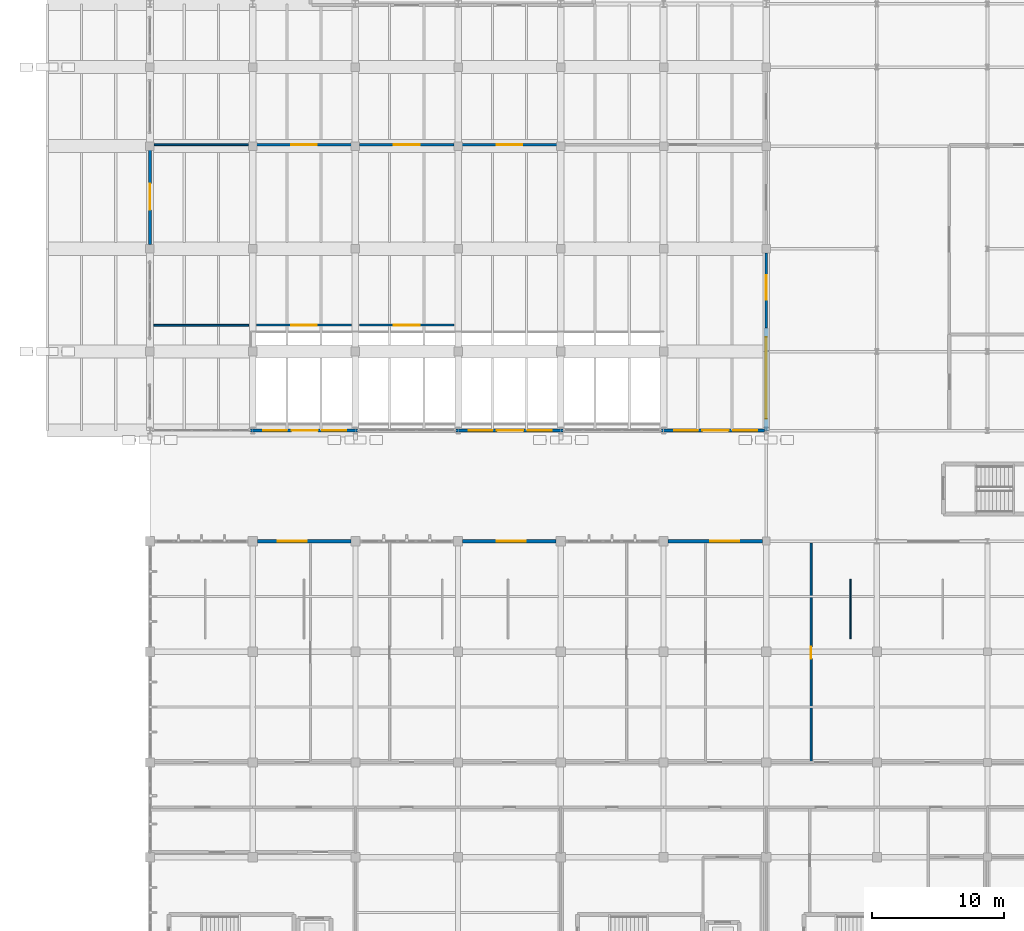
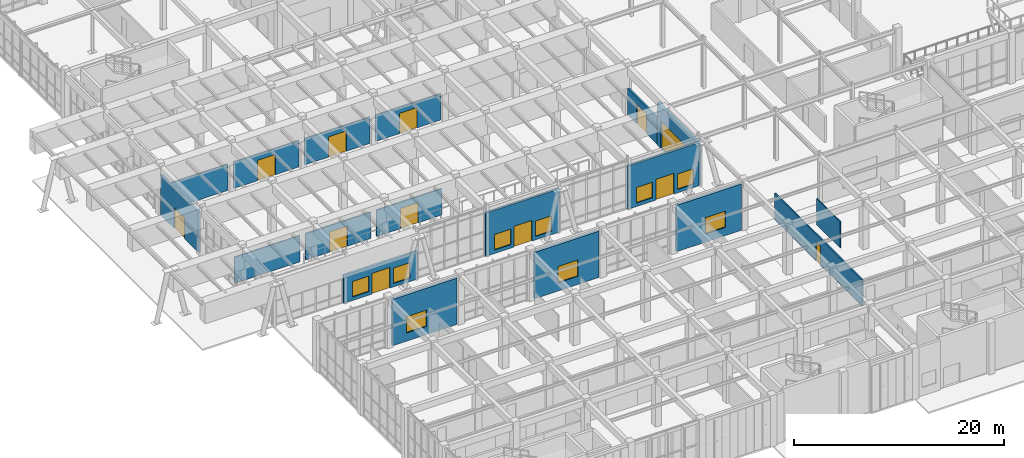
# One storey, part 76 of 110: 18 walls, 12 doors, 9 windows, 21 openings.
"""IFC4 building model written with IfcOpenShell, lengths in metres."""

from ifc_helpers import new_model, si_unit, direction, frame, frame_2d, origin, place, context, subcontext, project, spatial, rectangle, extrude, material, layer, layer_set, type_object, element, fill, save


model = new_model("IFC4")

# Units and contexts
model_context = context("Model", 3, precision=1e-05, world=origin(), true_north=direction((0.0, 1.0)))
body_context = subcontext(model_context, "Body", "Model", "MODEL_VIEW")
ifc_project = project(units=[si_unit("LENGTHUNIT", "METRE"), si_unit("AREAUNIT", "SQUARE_METRE"), si_unit("VOLUMEUNIT", "CUBIC_METRE"), si_unit("PLANEANGLEUNIT", "RADIAN"), si_unit("MASSUNIT", "GRAM", prefix="KILO")], contexts=[model_context])

# Site, building, storey
site_placement = place(None, origin())
site = spatial("IfcSite", under=ifc_project, at=site_placement, CompositionType="ELEMENT")
building_placement = place(site_placement, origin())
building = spatial("IfcBuilding", under=site, at=building_placement, Name="Tizgana Railside Sports Hall", CompositionType="ELEMENT")
storey_placement = place(building_placement, origin())
storey = spatial("IfcBuildingStorey", under=building, at=storey_placement, Name="L00", CompositionType="ELEMENT", Elevation=0.0)

# Wall, opening, door
ifc_material_1 = material(Name="Masonry blockwork", Category="masonry")
ifc_layer_1 = layer(ifc_material_1, 0.14990234375, Name="Masonry blockwork")
ifc_layer_set_1 = layer_set([ifc_layer_1], Name="Masonry blockwork")
wall_type_1 = type_object("IfcWallType", Name="Changing Wet-Room Partition 150", PredefinedType="STANDARD", material=ifc_layer_set_1)
wall_1_placement = place(storey_placement, frame((58.0, 15.60009765625, 0.0), z_axis=(0.0, 0.0, 1.0), x_axis=(0.0, 1.0, 0.0)))
wall_1 = element("IfcWall", 1, at=wall_1_placement, inside=storey, type_object=wall_type_1, Name="L00 Partition PWAL-0025", PredefinedType="STANDARD", context=body_context, shape_type="SweptSolid", body=[
    extrude(rectangle(XDim=16.64990234375, YDim=0.14990234375, at=frame_2d((8.324951171875, 0.0))), origin(), (0.0, 0.0, 1.0), 3.050048828125),
])
opening_1_placement = place(wall_1_placement, frame((7.864990234375, 0.0, 0.0)))
opening_1 = element("IfcOpeningElement", 2, at=opening_1_placement, cuts=wall_1, Name="Opening D-0127", PredefinedType="OPENING", context=body_context, shape_type="SweptSolid", body=[
    extrude(rectangle(XDim=0.919921875, YDim=2.14990234375, at=frame_2d((0.4599609375, 1.074951171875))), frame((0.0, 0.0849609375, 0.0), z_axis=(0.0, -1.0, 0.0), x_axis=(1.0, 0.0, 0.0)), (0.0, 0.0, 1.0), 0.169921875),
])
ifc_material_2 = material(Name="Solid beech timber", Category="wood")
door_type_1 = type_object("IfcDoorType", Name="Consultation & Coaching Door 920x2150", OperationType="NOTDEFINED", PredefinedType="DOOR", material=ifc_material_2)
door_1_placement = place(opening_1_placement, origin())
door_1 = element("IfcDoor", 3, at=door_1_placement, inside=storey, type_object=door_type_1, Name="L00 Door D-0127", OperationType="SINGLE_SWING_LEFT", OverallHeight=2.14990234375, OverallWidth=0.919921875, PredefinedType="DOOR", context=body_context, shape_type="SweptSolid", body=[
    extrude(rectangle(XDim=0.919921875, YDim=2.14990234375, at=frame_2d((0.4599609375, 1.074951171875))), frame((0.0, 0.02490234375, 0.0), z_axis=(0.0, -1.0, 0.0), x_axis=(1.0, 0.0, 0.0)), (0.0, 0.0, 1.0), 0.050048828125),
])
fill(opening_1, door_1)

ifc_material_3 = material(Name="Acoustic gypsum stud")
ifc_layer_2 = layer(ifc_material_3, 0.159912109375, Name="Acoustic gypsum stud")
ifc_layer_set_2 = layer_set([ifc_layer_2], Name="Acoustic gypsum stud")
wall_type_2 = type_object("IfcWallType", Name="Clinic Acoustic Partition 160", PredefinedType="STANDARD", material=ifc_layer_set_2)
wall_2_placement = place(storey_placement, frame((15.89990234375, 48.800048828125, 0.0), z_axis=(0.0, 0.0, 1.0), x_axis=(1.0, 0.0, 0.0)))
wall_2 = element("IfcWall", 4, at=wall_2_placement, inside=storey, type_object=wall_type_2, Name="L00 Partition PWAL-0248", PredefinedType="STANDARD", context=body_context, shape_type="SweptSolid", body=[
    extrude(rectangle(XDim=7.2001953125, YDim=0.159912109375, at=frame_2d((3.60009765625, 0.0))), origin(), (0.0, 0.0, 1.0), 3.050048828125),
])
opening_2_placement = place(wall_2_placement, frame((2.625, 0.0, 0.0)))
opening_2 = element("IfcOpeningElement", 5, at=opening_2_placement, cuts=wall_2, Name="Opening D-0240", PredefinedType="OPENING", context=body_context, shape_type="SweptSolid", body=[
    extrude(rectangle(XDim=1.949951171875, YDim=2.35009765625, at=frame_2d((0.97509765625, 1.175048828125))), frame((0.0, 0.08984375, 0.0), z_axis=(0.0, -1.0, 0.0), x_axis=(1.0, 0.0, 0.0)), (0.0, 0.0, 1.0), 0.179931640625),
])
door_type_2 = type_object("IfcDoorType", Name="Court Player Double Entry Door 1950x2350", OperationType="NOTDEFINED", PredefinedType="DOOR", material=ifc_material_2)
door_2_placement = place(opening_2_placement, origin())
door_2 = element("IfcDoor", 6, at=door_2_placement, inside=storey, type_object=door_type_2, Name="L00 Door D-0240", OperationType="DOUBLE_DOOR_SINGLE_SWING", OverallHeight=2.35009765625, OverallWidth=1.949951171875, PredefinedType="DOOR", context=body_context, shape_type="SweptSolid", body=[
    extrude(rectangle(XDim=1.949951171875, YDim=2.35009765625, at=frame_2d((0.97509765625, 1.175048828125))), frame((0.0, 0.02490234375, 0.0), z_axis=(0.0, -1.0, 0.0), x_axis=(1.0, 0.0, 0.0)), (0.0, 0.0, 1.0), 0.050048828125),
])
fill(opening_2, door_2)

wall_3_placement = place(storey_placement, frame((23.699951171875, 48.800048828125, 0.0), z_axis=(0.0, 0.0, 1.0), x_axis=(1.0, 0.0, 0.0)))
wall_3 = element("IfcWall", 7, at=wall_3_placement, inside=storey, type_object=wall_type_2, Name="L00 Partition PWAL-0249", PredefinedType="STANDARD", context=body_context, shape_type="SweptSolid", body=[
    extrude(rectangle(XDim=7.199951171875, YDim=0.159912109375, at=frame_2d((3.60009765625, 0.0))), origin(), (0.0, 0.0, 1.0), 3.050048828125),
])
opening_3_placement = place(wall_3_placement, frame((2.625, 0.0, 0.0)))
opening_3 = element("IfcOpeningElement", 8, at=opening_3_placement, cuts=wall_3, Name="Opening D-0241", PredefinedType="OPENING", context=body_context, shape_type="SweptSolid", body=[
    extrude(rectangle(XDim=1.949951171875, YDim=2.35009765625, at=frame_2d((0.97509765625, 1.175048828125))), frame((0.0, 0.08984375, 0.0), z_axis=(0.0, -1.0, 0.0), x_axis=(1.0, 0.0, 0.0)), (0.0, 0.0, 1.0), 0.179931640625),
])
door_3_placement = place(opening_3_placement, origin())
door_3 = element("IfcDoor", 9, at=door_3_placement, inside=storey, type_object=door_type_2, Name="L00 Door D-0241", OperationType="DOUBLE_DOOR_SINGLE_SWING", OverallHeight=2.35009765625, OverallWidth=1.949951171875, PredefinedType="DOOR", context=body_context, shape_type="SweptSolid", body=[
    extrude(rectangle(XDim=1.949951171875, YDim=2.35009765625, at=frame_2d((0.97509765625, 1.175048828125))), frame((0.0, 0.02490234375, 0.0), z_axis=(0.0, -1.0, 0.0), x_axis=(1.0, 0.0, 0.0)), (0.0, 0.0, 1.0), 0.050048828125),
])
fill(opening_3, door_3)

wall_4_placement = place(storey_placement, frame((15.89990234375, 62.5, 0.0), z_axis=(0.0, 0.0, 1.0), x_axis=(1.0, 0.0, 0.0)))
wall_4 = element("IfcWall", 10, at=wall_4_placement, inside=storey, type_object=wall_type_2, Name="L00 Partition PWAL-0251", PredefinedType="STANDARD", context=body_context, shape_type="SweptSolid", body=[
    extrude(rectangle(XDim=7.2001953125, YDim=0.159912109375, at=frame_2d((3.60009765625, 0.0))), origin(), (0.0, 0.0, 1.0), 3.050048828125),
])
opening_4_placement = place(wall_4_placement, frame((2.625, 0.0, 0.0)))
opening_4 = element("IfcOpeningElement", 11, at=opening_4_placement, cuts=wall_4, Name="Opening D-0242", PredefinedType="OPENING", context=body_context, shape_type="SweptSolid", body=[
    extrude(rectangle(XDim=1.949951171875, YDim=2.35009765625, at=frame_2d((0.97509765625, 1.175048828125))), frame((0.0, 0.08984375, 0.0), z_axis=(0.0, -1.0, 0.0), x_axis=(1.0, 0.0, 0.0)), (0.0, 0.0, 1.0), 0.179931640625),
])
door_4_placement = place(opening_4_placement, origin())
door_4 = element("IfcDoor", 12, at=door_4_placement, inside=storey, type_object=door_type_2, Name="L00 Door D-0242", OperationType="DOUBLE_DOOR_SINGLE_SWING", OverallHeight=2.35009765625, OverallWidth=1.949951171875, PredefinedType="DOOR", context=body_context, shape_type="SweptSolid", body=[
    extrude(rectangle(XDim=1.949951171875, YDim=2.35009765625, at=frame_2d((0.97509765625, 1.175048828125))), frame((0.0, 0.02490234375, 0.0), z_axis=(0.0, -1.0, 0.0), x_axis=(1.0, 0.0, 0.0)), (0.0, 0.0, 1.0), 0.050048828125),
])
fill(opening_4, door_4)

wall_5_placement = place(storey_placement, frame((23.699951171875, 62.5, 0.0), z_axis=(0.0, 0.0, 1.0), x_axis=(1.0, 0.0, 0.0)))
wall_5 = element("IfcWall", 13, at=wall_5_placement, inside=storey, type_object=wall_type_2, Name="L00 Partition PWAL-0252", PredefinedType="STANDARD", context=body_context, shape_type="SweptSolid", body=[
    extrude(rectangle(XDim=7.199951171875, YDim=0.159912109375, at=frame_2d((3.60009765625, 0.0))), origin(), (0.0, 0.0, 1.0), 3.050048828125),
])
opening_5_placement = place(wall_5_placement, frame((2.625, 0.0, 0.0)))
opening_5 = element("IfcOpeningElement", 14, at=opening_5_placement, cuts=wall_5, Name="Opening D-0243", PredefinedType="OPENING", context=body_context, shape_type="SweptSolid", body=[
    extrude(rectangle(XDim=1.949951171875, YDim=2.35009765625, at=frame_2d((0.97509765625, 1.175048828125))), frame((0.0, 0.08984375, 0.0), z_axis=(0.0, -1.0, 0.0), x_axis=(1.0, 0.0, 0.0)), (0.0, 0.0, 1.0), 0.179931640625),
])
door_5_placement = place(opening_5_placement, origin())
door_5 = element("IfcDoor", 15, at=door_5_placement, inside=storey, type_object=door_type_2, Name="L00 Door D-0243", OperationType="DOUBLE_DOOR_SINGLE_SWING", OverallHeight=2.35009765625, OverallWidth=1.949951171875, PredefinedType="DOOR", context=body_context, shape_type="SweptSolid", body=[
    extrude(rectangle(XDim=1.949951171875, YDim=2.35009765625, at=frame_2d((0.97509765625, 1.175048828125))), frame((0.0, 0.02490234375, 0.0), z_axis=(0.0, -1.0, 0.0), x_axis=(1.0, 0.0, 0.0)), (0.0, 0.0, 1.0), 0.050048828125),
])
fill(opening_5, door_5)

wall_6_placement = place(storey_placement, frame((31.5, 62.5, 0.0), z_axis=(0.0, 0.0, 1.0), x_axis=(1.0, 0.0, 0.0)))
wall_6 = element("IfcWall", 16, at=wall_6_placement, inside=storey, type_object=wall_type_2, Name="L00 Partition PWAL-0253", PredefinedType="STANDARD", context=body_context, shape_type="SweptSolid", body=[
    extrude(rectangle(XDim=7.199951171875, YDim=0.159912109375, at=frame_2d((3.60009765625, 0.0))), origin(), (0.0, 0.0, 1.0), 3.050048828125),
])
opening_6_placement = place(wall_6_placement, frame((2.625, 0.0, 0.0)))
opening_6 = element("IfcOpeningElement", 17, at=opening_6_placement, cuts=wall_6, Name="Opening D-0244", PredefinedType="OPENING", context=body_context, shape_type="SweptSolid", body=[
    extrude(rectangle(XDim=1.949951171875, YDim=2.35009765625, at=frame_2d((0.97509765625, 1.175048828125))), frame((0.0, 0.08984375, 0.0), z_axis=(0.0, -1.0, 0.0), x_axis=(1.0, 0.0, 0.0)), (0.0, 0.0, 1.0), 0.179931640625),
])
door_6_placement = place(opening_6_placement, origin())
door_6 = element("IfcDoor", 18, at=door_6_placement, inside=storey, type_object=door_type_2, Name="L00 Door D-0244", OperationType="DOUBLE_DOOR_SINGLE_SWING", OverallHeight=2.35009765625, OverallWidth=1.949951171875, PredefinedType="DOOR", context=body_context, shape_type="SweptSolid", body=[
    extrude(rectangle(XDim=1.949951171875, YDim=2.35009765625, at=frame_2d((0.97509765625, 1.175048828125))), frame((0.0, 0.02490234375, 0.0), z_axis=(0.0, -1.0, 0.0), x_axis=(1.0, 0.0, 0.0)), (0.0, 0.0, 1.0), 0.050048828125),
])
fill(opening_6, door_6)

ifc_layer_3 = layer(ifc_material_1, 0.219970703125, Name="Masonry blockwork")
ifc_layer_set_3 = layer_set([ifc_layer_3], Name="Masonry blockwork")
wall_type_3 = type_object("IfcWallType", Name="Equipment Store Fire Wall 220", PredefinedType="STANDARD", material=ifc_layer_set_3)
wall_7_placement = place(storey_placement, frame((54.60009765625, 48.60498046875, 0.0), z_axis=(0.0, 0.0, 1.0), x_axis=(0.0, 1.0, 0.0)))
wall_7 = element("IfcWall", 19, at=wall_7_placement, inside=storey, type_object=wall_type_3, Name="L00 Partition PWAL-0268", PredefinedType="STANDARD", context=body_context, shape_type="SweptSolid", body=[
    extrude(rectangle(XDim=5.695068359375, YDim=0.219970703125, at=frame_2d((2.84765625, 0.0))), origin(), (0.0, 0.0, 1.0), 3.050048828125),
])
opening_7_placement = place(wall_7_placement, frame((2.1201171875, 0.0, 0.0)))
opening_7 = element("IfcOpeningElement", 20, at=opening_7_placement, cuts=wall_7, Name="Opening D-0256", PredefinedType="OPENING", context=body_context, shape_type="SweptSolid", body=[
    extrude(rectangle(XDim=1.85009765625, YDim=2.25, at=frame_2d((0.925048828125, 1.125))), frame((0.0, 0.119873046875, 0.0), z_axis=(0.0, -1.0, 0.0), x_axis=(1.0, 0.0, 0.0)), (0.0, 0.0, 1.0), 0.239990234375),
])
ifc_material_4 = material(Name="Timber fire leaf", Category="wood")
door_type_3 = type_object("IfcDoorType", Name="Corridor Cross-Fire Double Door 1850x2250", OperationType="NOTDEFINED", PredefinedType="DOOR", material=ifc_material_4)
door_7_placement = place(opening_7_placement, origin())
door_7 = element("IfcDoor", 21, at=door_7_placement, inside=storey, type_object=door_type_3, Name="L00 Door D-0256", OperationType="DOUBLE_DOOR_SINGLE_SWING", OverallHeight=2.25, OverallWidth=1.85009765625, PredefinedType="DOOR", context=body_context, shape_type="SweptSolid", body=[
    extrude(rectangle(XDim=1.85009765625, YDim=2.25, at=frame_2d((0.925048828125, 1.125))), frame((0.0, 0.02490234375, 0.0), z_axis=(0.0, -1.0, 0.0), x_axis=(1.0, 0.0, 0.0)), (0.0, 0.0, 1.0), 0.050048828125),
])
fill(opening_7, door_7)

# Wall, openings, door, windows
ifc_material_5 = material(Name="Cross-laminated timber CL24h", Category="wood")
ifc_layer_4 = layer(ifc_material_5, 0.25, Name="Cross-laminated timber CL24h")
ifc_layer_set_4 = layer_set([ifc_layer_4], Name="Cross-laminated timber CL24h")
wall_type_4 = type_object("IfcWallType", Name="Exterior Clerestory Spandrel 250", PredefinedType="STANDARD", material=ifc_layer_set_4)
wall_8_placement = place(storey_placement, frame((23.554931640625, 40.800048828125, 0.0), z_axis=(0.0, 0.0, 1.0), x_axis=(-1.0, 0.0, 0.0)))
wall_8 = element("IfcWall", 22, at=wall_8_placement, inside=storey, type_object=wall_type_4, Name="L00 Exterior Wall EWAL-0001", PredefinedType="STANDARD", context=body_context, shape_type="SweptSolid", body=[
    extrude(rectangle(XDim=8.119873046875, YDim=0.25, at=frame_2d((4.06005859375, 0.0))), origin(), (0.0, 0.0, 1.0), 3.240966796875),
])
opening_8_placement = place(wall_8_placement, frame((3.0048828125, 0.0, 0.0)))
opening_8 = element("IfcOpeningElement", 23, at=opening_8_placement, cuts=wall_8, Name="Opening D-0001", PredefinedType="OPENING", context=body_context, shape_type="SweptSolid", body=[
    extrude(rectangle(XDim=2.0, YDim=2.39990234375, at=frame_2d((1.0, 1.199951171875))), frame((0.0, 0.135009765625, 0.0), z_axis=(0.0, -1.0, 0.0), x_axis=(1.0, 0.0, 0.0)), (0.0, 0.0, 1.0), 0.27001953125),
])
opening_9_placement = place(wall_8_placement, frame((0.85498046875, 0.0, 0.39990234375)))
opening_9 = element("IfcOpeningElement", 24, at=opening_9_placement, cuts=wall_8, Name="Opening W-0001", PredefinedType="OPENING", context=body_context, shape_type="SweptSolid", body=[
    extrude(rectangle(XDim=1.800048828125, YDim=1.800048828125, at=frame_2d((0.89990234375, 0.89990234375))), frame((0.0, 0.135009765625, 0.0), z_axis=(0.0, -1.0, 0.0), x_axis=(1.0, 0.0, 0.0)), (0.0, 0.0, 1.0), 0.27001953125),
])
opening_10_placement = place(wall_8_placement, frame((5.35498046875, 0.0, 0.39990234375)))
opening_10 = element("IfcOpeningElement", 25, at=opening_10_placement, cuts=wall_8, Name="Opening W-0002", PredefinedType="OPENING", context=body_context, shape_type="SweptSolid", body=[
    extrude(rectangle(XDim=1.800048828125, YDim=1.800048828125, at=frame_2d((0.89990234375, 0.89990234375))), frame((0.0, 0.135009765625, 0.0), z_axis=(0.0, -1.0, 0.0), x_axis=(1.0, 0.0, 0.0)), (0.0, 0.0, 1.0), 0.27001953125),
])
ifc_material_6 = material(Name="Anodised aluminium and glass", Category="aluminium")
door_type_4 = type_object("IfcDoorType", Name="Concourse Double Exit Door 2000x2400", OperationType="NOTDEFINED", PredefinedType="DOOR", material=ifc_material_6)
door_8_placement = place(opening_8_placement, origin())
door_8 = element("IfcDoor", 26, at=door_8_placement, inside=storey, type_object=door_type_4, Name="L00 Door D-0001", OperationType="DOUBLE_DOOR_SINGLE_SWING", OverallHeight=2.39990234375, OverallWidth=2.0, PredefinedType="DOOR", context=body_context, shape_type="SweptSolid", body=[
    extrude(rectangle(XDim=2.0, YDim=2.39990234375, at=frame_2d((1.0, 1.199951171875))), frame((0.0, 0.02490234375, 0.0), z_axis=(0.0, -1.0, 0.0), x_axis=(1.0, 0.0, 0.0)), (0.0, 0.0, 1.0), 0.050048828125),
])
fill(opening_8, door_8)
ifc_material_7 = material(Name="Double low-E laminated glass", Category="glass")
window_type_1 = type_object("IfcWindowType", Name="Upper Hall Clustered Window 1800x1800", PartitioningType="SINGLE_PANEL", PredefinedType="WINDOW", material=ifc_material_7)
window_1_placement = place(opening_9_placement, origin())
window_1 = element("IfcWindow", 27, at=window_1_placement, inside=storey, type_object=window_type_1, Name="L00 Window W-0001", OverallHeight=1.800048828125, OverallWidth=1.800048828125, PartitioningType="SINGLE_PANEL", PredefinedType="WINDOW", context=body_context, shape_type="SweptSolid", body=[
    extrude(rectangle(XDim=1.800048828125, YDim=1.800048828125, at=frame_2d((0.89990234375, 0.89990234375))), frame((0.0, 0.030029296875, 0.0), z_axis=(0.0, -1.0, 0.0), x_axis=(1.0, 0.0, 0.0)), (0.0, 0.0, 1.0), 0.06005859375),
])
fill(opening_9, window_1)
window_2_placement = place(opening_10_placement, origin())
window_2 = element("IfcWindow", 28, at=window_2_placement, inside=storey, type_object=window_type_1, Name="L00 Window W-0002", OverallHeight=1.800048828125, OverallWidth=1.800048828125, PartitioningType="SINGLE_PANEL", PredefinedType="WINDOW", context=body_context, shape_type="SweptSolid", body=[
    extrude(rectangle(XDim=1.800048828125, YDim=1.800048828125, at=frame_2d((0.89990234375, 0.89990234375))), frame((0.0, 0.030029296875, 0.0), z_axis=(0.0, -1.0, 0.0), x_axis=(1.0, 0.0, 0.0)), (0.0, 0.0, 1.0), 0.06005859375),
])
fill(opening_10, window_2)

wall_9_placement = place(storey_placement, frame((39.1474609375, 40.800048828125, 0.0), z_axis=(0.0, 0.0, 1.0), x_axis=(-1.0, 0.0, 0.0)))
wall_9 = element("IfcWall", 29, at=wall_9_placement, inside=storey, type_object=wall_type_4, Name="L00 Exterior Wall EWAL-0002", PredefinedType="STANDARD", context=body_context, shape_type="SweptSolid", body=[
    extrude(rectangle(XDim=8.1025390625, YDim=0.25, at=frame_2d((4.05126953125, 0.0))), origin(), (0.0, 0.0, 1.0), 5.02099609375),
])
opening_11_placement = place(wall_9_placement, frame((2.99755859375, 0.0, 0.0)))
opening_11 = element("IfcOpeningElement", 30, at=opening_11_placement, cuts=wall_9, Name="Opening D-0002", PredefinedType="OPENING", context=body_context, shape_type="SweptSolid", body=[
    extrude(rectangle(XDim=2.0, YDim=2.39990234375, at=frame_2d((1.0, 1.199951171875))), frame((0.0, 0.135009765625, 0.0), z_axis=(0.0, -1.0, 0.0), x_axis=(1.0, 0.0, 0.0)), (0.0, 0.0, 1.0), 0.27001953125),
])
opening_12_placement = place(wall_9_placement, frame((0.847412109375, 0.0, 0.39990234375)))
opening_12 = element("IfcOpeningElement", 31, at=opening_12_placement, cuts=wall_9, Name="Opening W-0003", PredefinedType="OPENING", context=body_context, shape_type="SweptSolid", body=[
    extrude(rectangle(XDim=1.800048828125, YDim=1.800048828125, at=frame_2d((0.89990234375, 0.89990234375))), frame((0.0, 0.135009765625, 0.0), z_axis=(0.0, -1.0, 0.0), x_axis=(1.0, 0.0, 0.0)), (0.0, 0.0, 1.0), 0.27001953125),
])
opening_13_placement = place(wall_9_placement, frame((5.347412109375, 0.0, 0.39990234375)))
opening_13 = element("IfcOpeningElement", 32, at=opening_13_placement, cuts=wall_9, Name="Opening W-0004", PredefinedType="OPENING", context=body_context, shape_type="SweptSolid", body=[
    extrude(rectangle(XDim=1.800048828125, YDim=1.800048828125, at=frame_2d((0.89990234375, 0.89990234375))), frame((0.0, 0.135009765625, 0.0), z_axis=(0.0, -1.0, 0.0), x_axis=(1.0, 0.0, 0.0)), (0.0, 0.0, 1.0), 0.27001953125),
])
door_9_placement = place(opening_11_placement, origin())
door_9 = element("IfcDoor", 33, at=door_9_placement, inside=storey, type_object=door_type_4, Name="L00 Door D-0002", OperationType="DOUBLE_DOOR_SINGLE_SWING", OverallHeight=2.39990234375, OverallWidth=2.0, PredefinedType="DOOR", context=body_context, shape_type="SweptSolid", body=[
    extrude(rectangle(XDim=2.0, YDim=2.39990234375, at=frame_2d((1.0, 1.199951171875))), frame((0.0, 0.02490234375, 0.0), z_axis=(0.0, -1.0, 0.0), x_axis=(1.0, 0.0, 0.0)), (0.0, 0.0, 1.0), 0.050048828125),
])
fill(opening_11, door_9)
window_3_placement = place(opening_12_placement, origin())
window_3 = element("IfcWindow", 34, at=window_3_placement, inside=storey, type_object=window_type_1, Name="L00 Window W-0003", OverallHeight=1.800048828125, OverallWidth=1.800048828125, PartitioningType="SINGLE_PANEL", PredefinedType="WINDOW", context=body_context, shape_type="SweptSolid", body=[
    extrude(rectangle(XDim=1.800048828125, YDim=1.800048828125, at=frame_2d((0.89990234375, 0.89990234375))), frame((0.0, 0.030029296875, 0.0), z_axis=(0.0, -1.0, 0.0), x_axis=(1.0, 0.0, 0.0)), (0.0, 0.0, 1.0), 0.06005859375),
])
fill(opening_12, window_3)
window_4_placement = place(opening_13_placement, origin())
window_4 = element("IfcWindow", 35, at=window_4_placement, inside=storey, type_object=window_type_1, Name="L00 Window W-0004", OverallHeight=1.800048828125, OverallWidth=1.800048828125, PartitioningType="SINGLE_PANEL", PredefinedType="WINDOW", context=body_context, shape_type="SweptSolid", body=[
    extrude(rectangle(XDim=1.800048828125, YDim=1.800048828125, at=frame_2d((0.89990234375, 0.89990234375))), frame((0.0, 0.030029296875, 0.0), z_axis=(0.0, -1.0, 0.0), x_axis=(1.0, 0.0, 0.0)), (0.0, 0.0, 1.0), 0.06005859375),
])
fill(opening_13, window_4)

wall_10_placement = place(storey_placement, frame((54.4599609375, 40.800048828125, 0.0), z_axis=(0.0, 0.0, 1.0), x_axis=(-1.0, 0.0, 0.0)))
wall_10 = element("IfcWall", 36, at=wall_10_placement, inside=storey, type_object=wall_type_4, Name="L00 Exterior Wall EWAL-0003", PredefinedType="STANDARD", context=body_context, shape_type="SweptSolid", body=[
    extrude(rectangle(XDim=7.807373046875, YDim=0.25, at=frame_2d((3.90380859375, 0.0))), origin(), (0.0, 0.0, 1.0), 5.02099609375),
])
opening_14_placement = place(wall_10_placement, frame((2.7099609375, 0.0, 0.0)))
opening_14 = element("IfcOpeningElement", 37, at=opening_14_placement, cuts=wall_10, Name="Opening D-0003", PredefinedType="OPENING", context=body_context, shape_type="SweptSolid", body=[
    extrude(rectangle(XDim=2.0, YDim=2.39990234375, at=frame_2d((1.0, 1.199951171875))), frame((0.0, 0.135009765625, 0.0), z_axis=(0.0, -1.0, 0.0), x_axis=(1.0, 0.0, 0.0)), (0.0, 0.0, 1.0), 0.27001953125),
])
opening_15_placement = place(wall_10_placement, frame((0.56005859375, 0.0, 0.39990234375)))
opening_15 = element("IfcOpeningElement", 38, at=opening_15_placement, cuts=wall_10, Name="Opening W-0005", PredefinedType="OPENING", context=body_context, shape_type="SweptSolid", body=[
    extrude(rectangle(XDim=1.800048828125, YDim=1.800048828125, at=frame_2d((0.89990234375, 0.89990234375))), frame((0.0, 0.135009765625, 0.0), z_axis=(0.0, -1.0, 0.0), x_axis=(1.0, 0.0, 0.0)), (0.0, 0.0, 1.0), 0.27001953125),
])
opening_16_placement = place(wall_10_placement, frame((5.06005859375, 0.0, 0.39990234375)))
opening_16 = element("IfcOpeningElement", 39, at=opening_16_placement, cuts=wall_10, Name="Opening W-0006", PredefinedType="OPENING", context=body_context, shape_type="SweptSolid", body=[
    extrude(rectangle(XDim=1.800048828125, YDim=1.800048828125, at=frame_2d((0.89990234375, 0.89990234375))), frame((0.0, 0.135009765625, 0.0), z_axis=(0.0, -1.0, 0.0), x_axis=(1.0, 0.0, 0.0)), (0.0, 0.0, 1.0), 0.27001953125),
])
door_10_placement = place(opening_14_placement, origin())
door_10 = element("IfcDoor", 40, at=door_10_placement, inside=storey, type_object=door_type_4, Name="L00 Door D-0003", OperationType="DOUBLE_DOOR_SINGLE_SWING", OverallHeight=2.39990234375, OverallWidth=2.0, PredefinedType="DOOR", context=body_context, shape_type="SweptSolid", body=[
    extrude(rectangle(XDim=2.0, YDim=2.39990234375, at=frame_2d((1.0, 1.199951171875))), frame((0.0, 0.02490234375, 0.0), z_axis=(0.0, -1.0, 0.0), x_axis=(1.0, 0.0, 0.0)), (0.0, 0.0, 1.0), 0.050048828125),
])
fill(opening_14, door_10)
window_5_placement = place(opening_15_placement, origin())
window_5 = element("IfcWindow", 41, at=window_5_placement, inside=storey, type_object=window_type_1, Name="L00 Window W-0005", OverallHeight=1.800048828125, OverallWidth=1.800048828125, PartitioningType="SINGLE_PANEL", PredefinedType="WINDOW", context=body_context, shape_type="SweptSolid", body=[
    extrude(rectangle(XDim=1.800048828125, YDim=1.800048828125, at=frame_2d((0.89990234375, 0.89990234375))), frame((0.0, 0.030029296875, 0.0), z_axis=(0.0, -1.0, 0.0), x_axis=(1.0, 0.0, 0.0)), (0.0, 0.0, 1.0), 0.06005859375),
])
fill(opening_15, window_5)
window_6_placement = place(opening_16_placement, origin())
window_6 = element("IfcWindow", 42, at=window_6_placement, inside=storey, type_object=window_type_1, Name="L00 Window W-0006", OverallHeight=1.800048828125, OverallWidth=1.800048828125, PartitioningType="SINGLE_PANEL", PredefinedType="WINDOW", context=body_context, shape_type="SweptSolid", body=[
    extrude(rectangle(XDim=1.800048828125, YDim=1.800048828125, at=frame_2d((0.89990234375, 0.89990234375))), frame((0.0, 0.030029296875, 0.0), z_axis=(0.0, -1.0, 0.0), x_axis=(1.0, 0.0, 0.0)), (0.0, 0.0, 1.0), 0.06005859375),
])
fill(opening_16, window_6)

# Wall, opening, door
wall_11_placement = place(storey_placement, frame((7.800048828125, 54.9150390625, 0.0), z_axis=(0.0, 0.0, 1.0), x_axis=(0.0, 1.0, 0.0)))
wall_11 = element("IfcWall", 43, at=wall_11_placement, inside=storey, type_object=wall_type_4, Name="L00 Exterior Wall EWAL-0004", PredefinedType="STANDARD", context=body_context, shape_type="SweptSolid", body=[
    extrude(rectangle(XDim=7.169921875, YDim=0.25, at=frame_2d((3.5849609375, 0.0))), origin(), (0.0, 0.0, 1.0), 4.69091796875),
])
opening_17_placement = place(wall_11_placement, frame((2.635009765625, 0.0, 0.0)))
opening_17 = element("IfcOpeningElement", 44, at=opening_17_placement, cuts=wall_11, Name="Opening D-0004", PredefinedType="OPENING", context=body_context, shape_type="SweptSolid", body=[
    extrude(rectangle(XDim=2.0, YDim=2.39990234375, at=frame_2d((1.0, 1.199951171875))), frame((0.0, 0.135009765625, 0.0), z_axis=(0.0, -1.0, 0.0), x_axis=(1.0, 0.0, 0.0)), (0.0, 0.0, 1.0), 0.27001953125),
])
door_11_placement = place(opening_17_placement, origin())
door_11 = element("IfcDoor", 45, at=door_11_placement, inside=storey, type_object=door_type_4, Name="L00 Door D-0004", OperationType="DOUBLE_DOOR_SINGLE_SWING", OverallHeight=2.39990234375, OverallWidth=2.0, PredefinedType="DOOR", context=body_context, shape_type="SweptSolid", body=[
    extrude(rectangle(XDim=2.0, YDim=2.39990234375, at=frame_2d((1.0, 1.199951171875))), frame((0.0, 0.02490234375, 0.0), z_axis=(0.0, -1.0, 0.0), x_axis=(1.0, 0.0, 0.0)), (0.0, 0.0, 1.0), 0.050048828125),
])
fill(opening_17, door_11)

ifc_material_8 = material(Name="Concrete C35/45", Category="concrete")
ifc_layer_5 = layer(ifc_material_8, 0.340087890625, Name="Concrete C35/45")
ifc_layer_set_5 = layer_set([ifc_layer_5], Name="Concrete C35/45")
wall_type_5 = type_object("IfcWallType", Name="Exterior Insulated Concrete Wall 340", PredefinedType="STANDARD", material=ifc_layer_set_5)
wall_12_placement = place(storey_placement, frame((54.60009765625, 40.75, 0.0), z_axis=(0.0, 0.0, 1.0), x_axis=(0.0, 1.0, 0.0)))
wall_12 = element("IfcWall", 46, at=wall_12_placement, inside=storey, type_object=wall_type_5, Name="L00 Ramp Portal Wall", PredefinedType="STANDARD", context=body_context, shape_type="SweptSolid", body=[
    extrude(rectangle(XDim=7.85009765625, YDim=0.340087890625, at=frame_2d((3.925048828125, 0.0))), origin(), (0.0, 0.0, 1.0), 4.89990234375),
])
opening_18_placement = place(wall_12_placement, frame((0.949951171875, 0.0, 0.0)))
opening_18 = element("IfcOpeningElement", 47, at=opening_18_placement, cuts=wall_12, Name="Opening D-0102", PredefinedType="OPENING", context=body_context, shape_type="SweptSolid", body=[
    extrude(rectangle(XDim=6.199951171875, YDim=3.199951171875, at=frame_2d((3.10009765625, 1.60009765625))), frame((0.0, 0.179931640625, 0.0), z_axis=(0.0, -1.0, 0.0), x_axis=(1.0, 0.0, 0.0)), (0.0, 0.0, 1.0), 0.360107421875),
])
ifc_material_9 = material(Name="Galvanised steel sheet", Category="steel")
door_type_5 = type_object("IfcDoorType", Name="Basement Ramp Roller Shutter 6200x3200", OperationType="NOTDEFINED", PredefinedType="GATE", material=ifc_material_9)
door_12_placement = place(opening_18_placement, origin())
door_12 = element("IfcDoor", 48, at=door_12_placement, inside=storey, type_object=door_type_5, Name="L00 Vehicle Ramp Shutter D-0102", OperationType="ROLLINGUP", OverallHeight=3.199951171875, OverallWidth=6.199951171875, PredefinedType="GATE", context=body_context, shape_type="SweptSolid", body=[
    extrude(rectangle(XDim=6.199951171875, YDim=3.199951171875, at=frame_2d((3.10009765625, 1.60009765625))), frame((0.0, 0.02490234375, 0.0), z_axis=(0.0, -1.0, 0.0), x_axis=(1.0, 0.0, 0.0)), (0.0, 0.0, 1.0), 0.050048828125),
])
fill(opening_18, door_12)

# Wall, opening, window
ifc_material_10 = material(Name="Precast concrete C40/50", Category="concrete")
ifc_layer_6 = layer(ifc_material_10, 0.27001953125, Name="Precast concrete C40/50")
ifc_layer_set_6 = layer_set([ifc_layer_6], Name="Precast concrete C40/50")
wall_type_6 = type_object("IfcWallType", Name="Exterior Studio Facade Wall 270", PredefinedType="STANDARD", material=ifc_layer_set_6)
wall_13_placement = place(storey_placement, frame((15.949951171875, 32.39990234375, 0.0), z_axis=(0.0, 0.0, 1.0), x_axis=(1.0, 0.0, 0.0)))
wall_13 = element("IfcWall", 49, at=wall_13_placement, inside=storey, type_object=wall_type_6, Name="L00 Exterior Wall EWAL-0078", PredefinedType="STANDARD", context=body_context, shape_type="SweptSolid", body=[
    extrude(rectangle(XDim=7.10009765625, YDim=0.27001953125, at=frame_2d((3.550048828125, 0.0))), origin(), (0.0, 0.0, 1.0), 5.381103515625),
])
opening_19_placement = place(wall_13_placement, frame((1.550048828125, 0.0, 0.949951171875)))
opening_19 = element("IfcOpeningElement", 50, at=opening_19_placement, cuts=wall_13, Name="Opening W-0055", PredefinedType="OPENING", context=body_context, shape_type="SweptSolid", body=[
    extrude(rectangle(XDim=2.199951171875, YDim=1.89990234375, at=frame_2d((1.10009765625, 0.949951171875))), frame((0.0, 0.14501953125, 0.0), z_axis=(0.0, -1.0, 0.0), x_axis=(1.0, 0.0, 0.0)), (0.0, 0.0, 1.0), 0.2900390625),
])
window_type_2 = type_object("IfcWindowType", Name="Clinic Double Window 2200x1900", PartitioningType="SINGLE_PANEL", PredefinedType="WINDOW", material=ifc_material_7)
window_7_placement = place(opening_19_placement, origin())
window_7 = element("IfcWindow", 51, at=window_7_placement, inside=storey, type_object=window_type_2, Name="L00 Window W-0055", OverallHeight=1.89990234375, OverallWidth=2.199951171875, PartitioningType="SINGLE_PANEL", PredefinedType="WINDOW", context=body_context, shape_type="SweptSolid", body=[
    extrude(rectangle(XDim=2.199951171875, YDim=1.89990234375, at=frame_2d((1.10009765625, 0.949951171875))), frame((0.0, 0.030029296875, 0.0), z_axis=(0.0, -1.0, 0.0), x_axis=(1.0, 0.0, 0.0)), (0.0, 0.0, 1.0), 0.06005859375),
])
fill(opening_19, window_7)

wall_14_placement = place(storey_placement, frame((31.550048828125, 32.39990234375, 0.0), z_axis=(0.0, 0.0, 1.0), x_axis=(1.0, 0.0, 0.0)))
wall_14 = element("IfcWall", 52, at=wall_14_placement, inside=storey, type_object=wall_type_6, Name="L00 Exterior Wall EWAL-0079", PredefinedType="STANDARD", context=body_context, shape_type="SweptSolid", body=[
    extrude(rectangle(XDim=7.099853515625, YDim=0.27001953125, at=frame_2d((3.5498046875, 0.0))), origin(), (0.0, 0.0, 1.0), 5.381103515625),
])
opening_20_placement = place(wall_14_placement, frame((2.60009765625, 0.0, 0.949951171875)))
opening_20 = element("IfcOpeningElement", 53, at=opening_20_placement, cuts=wall_14, Name="Opening W-0056", PredefinedType="OPENING", context=body_context, shape_type="SweptSolid", body=[
    extrude(rectangle(XDim=2.199951171875, YDim=1.89990234375, at=frame_2d((1.10009765625, 0.949951171875))), frame((0.0, 0.14501953125, 0.0), z_axis=(0.0, -1.0, 0.0), x_axis=(1.0, 0.0, 0.0)), (0.0, 0.0, 1.0), 0.2900390625),
])
window_8_placement = place(opening_20_placement, origin())
window_8 = element("IfcWindow", 54, at=window_8_placement, inside=storey, type_object=window_type_2, Name="L00 Window W-0056", OverallHeight=1.89990234375, OverallWidth=2.199951171875, PartitioningType="SINGLE_PANEL", PredefinedType="WINDOW", context=body_context, shape_type="SweptSolid", body=[
    extrude(rectangle(XDim=2.199951171875, YDim=1.89990234375, at=frame_2d((1.10009765625, 0.949951171875))), frame((0.0, 0.030029296875, 0.0), z_axis=(0.0, -1.0, 0.0), x_axis=(1.0, 0.0, 0.0)), (0.0, 0.0, 1.0), 0.06005859375),
])
fill(opening_20, window_8)

wall_15_placement = place(storey_placement, frame((47.14990234375, 32.39990234375, 0.0), z_axis=(0.0, 0.0, 1.0), x_axis=(1.0, 0.0, 0.0)))
wall_15 = element("IfcWall", 55, at=wall_15_placement, inside=storey, type_object=wall_type_6, Name="L00 Exterior Wall EWAL-0080", PredefinedType="STANDARD", context=body_context, shape_type="SweptSolid", body=[
    extrude(rectangle(XDim=7.16015625, YDim=0.27001953125, at=frame_2d((3.580078125, 0.0))), origin(), (0.0, 0.0, 1.0), 5.381103515625),
])
opening_21_placement = place(wall_15_placement, frame((3.199951171875, 0.0, 0.949951171875)))
opening_21 = element("IfcOpeningElement", 56, at=opening_21_placement, cuts=wall_15, Name="Opening W-0057", PredefinedType="OPENING", context=body_context, shape_type="SweptSolid", body=[
    extrude(rectangle(XDim=2.199951171875, YDim=1.89990234375, at=frame_2d((1.10009765625, 0.949951171875))), frame((0.0, 0.14501953125, 0.0), z_axis=(0.0, -1.0, 0.0), x_axis=(1.0, 0.0, 0.0)), (0.0, 0.0, 1.0), 0.2900390625),
])
window_9_placement = place(opening_21_placement, origin())
window_9 = element("IfcWindow", 57, at=window_9_placement, inside=storey, type_object=window_type_2, Name="L00 Window W-0057", OverallHeight=1.89990234375, OverallWidth=2.199951171875, PartitioningType="SINGLE_PANEL", PredefinedType="WINDOW", context=body_context, shape_type="SweptSolid", body=[
    extrude(rectangle(XDim=2.199951171875, YDim=1.89990234375, at=frame_2d((1.10009765625, 0.949951171875))), frame((0.0, 0.030029296875, 0.0), z_axis=(0.0, -1.0, 0.0), x_axis=(1.0, 0.0, 0.0)), (0.0, 0.0, 1.0), 0.06005859375),
])
fill(opening_21, window_9)

# Walls
ifc_layer_7 = layer(ifc_material_3, 0.1298828125, Name="Acoustic gypsum stud")
ifc_layer_set_7 = layer_set([ifc_layer_7], Name="Acoustic gypsum stud")
wall_type_7 = type_object("IfcWallType", Name="General Interior Partition 130", PredefinedType="STANDARD", material=ifc_layer_set_7)
for number, where, z_axis, x_axis, name in (
    (58, (8.10009765625, 48.800048828125, 0.0), (0.0, 0.0, 1.0), (1.0, 0.0, 0.0), "L00 Partition PWAL-0247"),
    (59, (8.10009765625, 62.5, 0.0), (0.0, 0.0, 1.0), (1.0, 0.0, 0.0), "L00 Partition PWAL-0250"),
):
    element("IfcWall", number, at=place(storey_placement, frame(where, z_axis=z_axis, x_axis=x_axis)), inside=storey, type_object=wall_type_7, Name=name, PredefinedType="STANDARD", context=body_context, shape_type="SweptSolid", body=[
        extrude(rectangle(XDim=7.199951171875, YDim=0.1298828125, at=frame_2d((3.60009765625, 0.0))), origin(), (0.0, 0.0, 1.0), 3.050048828125),
    ])
ifc_layer_8 = layer(ifc_material_3, 0.10009765625, Name="Acoustic gypsum stud")
ifc_layer_set_8 = layer_set([ifc_layer_8], Name="Acoustic gypsum stud")
wall_type_8 = type_object("IfcWallType", Name="Locker Alcove Partition 100", PredefinedType="STANDARD", material=ifc_layer_set_8)
wall_16_placement = place(storey_placement, frame((61.0, 25.0, 0.0), z_axis=(0.0, 0.0, 1.0), x_axis=(0.0, 1.0, 0.0)))
element("IfcWall", 60, at=wall_16_placement, inside=storey, type_object=wall_type_8, Name="L00 Partition PWAL-0049", PredefinedType="STANDARD", context=body_context, shape_type="SweptSolid", body=[
    extrude(rectangle(XDim=4.5, YDim=0.10009765625, at=frame_2d((2.25, 0.0))), origin(), (0.0, 0.0, 1.0), 3.050048828125),
])

save(model, "model.ifc")
